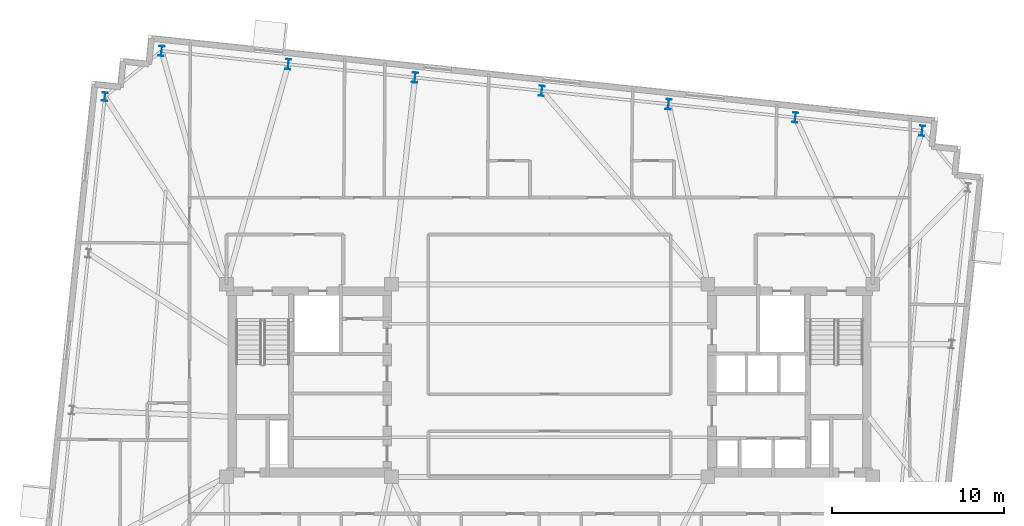
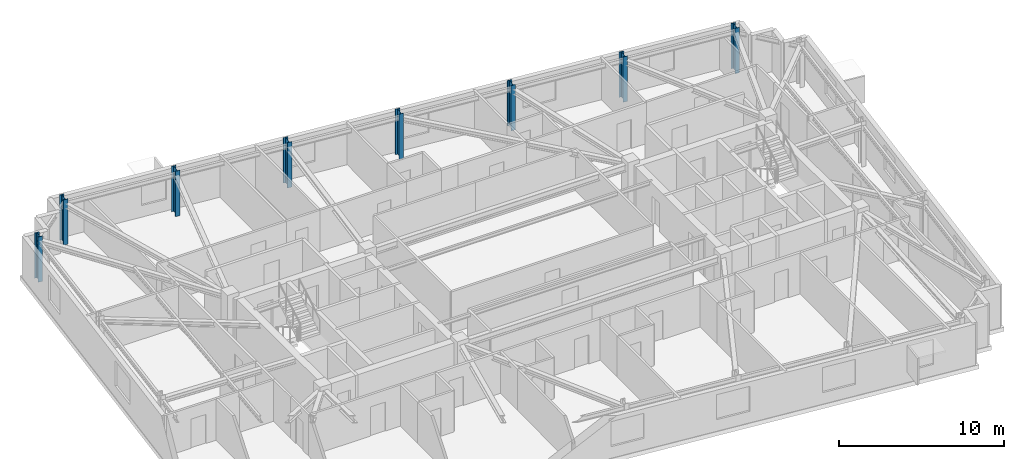
# One storey, part 3 of 11: 8 columns.
"""IFC4 building model written with IfcOpenShell, lengths in metres."""

from ifc_helpers import new_model, si_unit, direction, frame, origin, origin_2d, place, context, subcontext, project, spatial, i_section, extrude, material, material_profile, profile_set, type_object, element, save


model = new_model("IFC4")

# Units and contexts
model_context = context("Model", 3, precision=1e-05, world=origin(), true_north=direction((0.0, 1.0)))
body_context = subcontext(model_context, "Body", "Model", "MODEL_VIEW")
ifc_project = project(units=[si_unit("LENGTHUNIT", "METRE"), si_unit("AREAUNIT", "SQUARE_METRE"), si_unit("VOLUMEUNIT", "CUBIC_METRE"), si_unit("PLANEANGLEUNIT", "RADIAN"), si_unit("MASSUNIT", "GRAM", prefix="KILO")], contexts=[model_context])

# Site, building, storey
site_placement = place(None, origin())
site = spatial("IfcSite", under=ifc_project, at=site_placement, CompositionType="ELEMENT")
building_placement = place(site_placement, origin())
building = spatial("IfcBuilding", under=site, at=building_placement, Name="Qobustan Lattice House", CompositionType="ELEMENT")
storey_placement = place(building_placement, frame((0.0, 0.0, 209.800048828125)))
storey = spatial("IfcBuildingStorey", under=building, at=storey_placement, Name="L59", CompositionType="ELEMENT", Elevation=209.800048828125)

# Columns
ifc_material_1 = material(Name="Steel S355", Category="steel")
ifc_material_profile_1 = material_profile(ifc_material_1, i_section(OverallWidth=0.300048828125, OverallDepth=0.5, WebThickness=0.014404296875, FlangeThickness=0.028076171875, FilletRadius=0.027099609375, at=origin_2d()), Name="HEB500")
ifc_profile_set_1 = profile_set([ifc_material_profile_1], Name="Steel S355")
column_type_1 = type_object("IfcColumnType", Name="COL-ST-HEB500", PredefinedType="COLUMN", material=ifc_profile_set_1)
column_placement = place(storey_placement, frame((-25.87451171875, 16.513916015625, 0.0), z_axis=(0.0, 0.0, 1.0), x_axis=(0.994521895368, -0.104528463268, 0.0)))
element("IfcColumn", 1, at=column_placement, inside=storey, type_object=column_type_1, Name="L59 B4 perimeter column W1", PredefinedType="COLUMN", context=body_context, shape_type="SweptSolid", body=[
    extrude(i_section(OverallWidth=0.300048828125, OverallDepth=0.5, WebThickness=0.014404296875, FlangeThickness=0.028076171875, FilletRadius=0.027099609375, at=origin_2d()), origin(), (0.0, 0.0, 1.0), 3.349853515625),
])
ifc_material_2 = material(Name="Steel S355", Category="steel")
ifc_material_profile_2 = material_profile(ifc_material_2, i_section(OverallWidth=0.300048828125, OverallDepth=0.60009765625, WebThickness=0.015380859375, FlangeThickness=0.030029296875, FilletRadius=0.027099609375, at=origin_2d()), Name="HEB600")
ifc_profile_set_2 = profile_set([ifc_material_profile_2], Name="Steel S355")
column_type_2 = type_object("IfcColumnType", Name="COL-ST-HEB600", PredefinedType="COLUMN", material=ifc_profile_set_2)
for number, where, z_axis, x_axis, name in (
    (2, (21.678955078125, 14.532470703125, 0.0), (0.0, 0.0, 1.0), (0.994521895368, -0.104528463268, 0.0), "L59 B4 perimeter column N1"),
    (3, (14.302978515625, 15.3076171875, 0.0), (0.0, 0.0, 1.0), (0.994521895368, -0.104528463268, 0.0), "L59 B4 perimeter column N2"),
    (4, (6.927001953125, 16.0830078125, 0.0), (0.0, 0.0, 1.0), (0.994521895368, -0.104528463268, 0.0), "L59 B4 perimeter column N3"),
    (5, (-0.44921875, 16.858154296875, 0.0), (0.0, 0.0, 1.0), (0.994521895368, -0.104528463268, 0.0), "L59 B4 perimeter column N4"),
    (6, (-7.8251953125, 17.633544921875, 0.0), (0.0, 0.0, 1.0), (0.994521895368, -0.104528463268, 0.0), "L59 B4 perimeter column N5"),
    (7, (-15.201171875, 18.40869140625, 0.0), (0.0, 0.0, 1.0), (0.994521895368, -0.104528463268, 0.0), "L59 B4 perimeter column N6"),
    (8, (-22.577392578125, 19.18408203125, 0.0), (0.0, 0.0, 1.0), (0.994521895368, -0.104528463268, 0.0), "L59 B4 perimeter column N7"),
):
    element("IfcColumn", number, at=place(storey_placement, frame(where, z_axis=z_axis, x_axis=x_axis)), inside=storey, type_object=column_type_2, Name=name, PredefinedType="COLUMN", context=body_context, shape_type="SweptSolid", body=[
        extrude(i_section(OverallWidth=0.300048828125, OverallDepth=0.60009765625, WebThickness=0.015380859375, FlangeThickness=0.030029296875, FilletRadius=0.027099609375, at=origin_2d()), origin(), (0.0, 0.0, 1.0), 3.349853515625),
    ])

save(model, "model.ifc")
